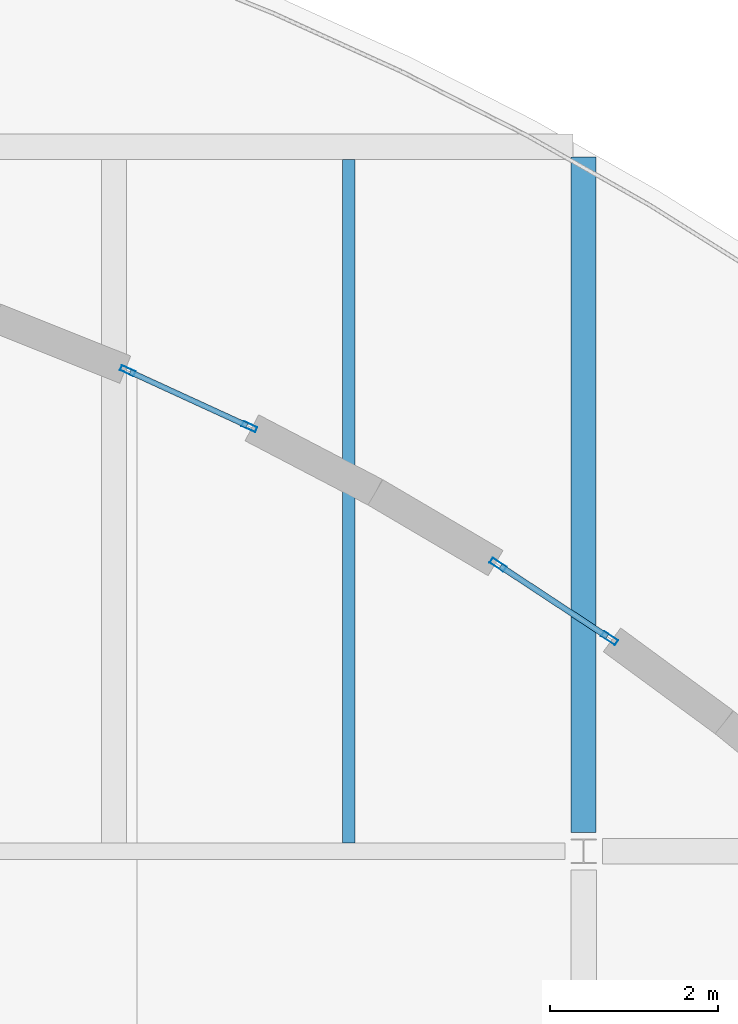
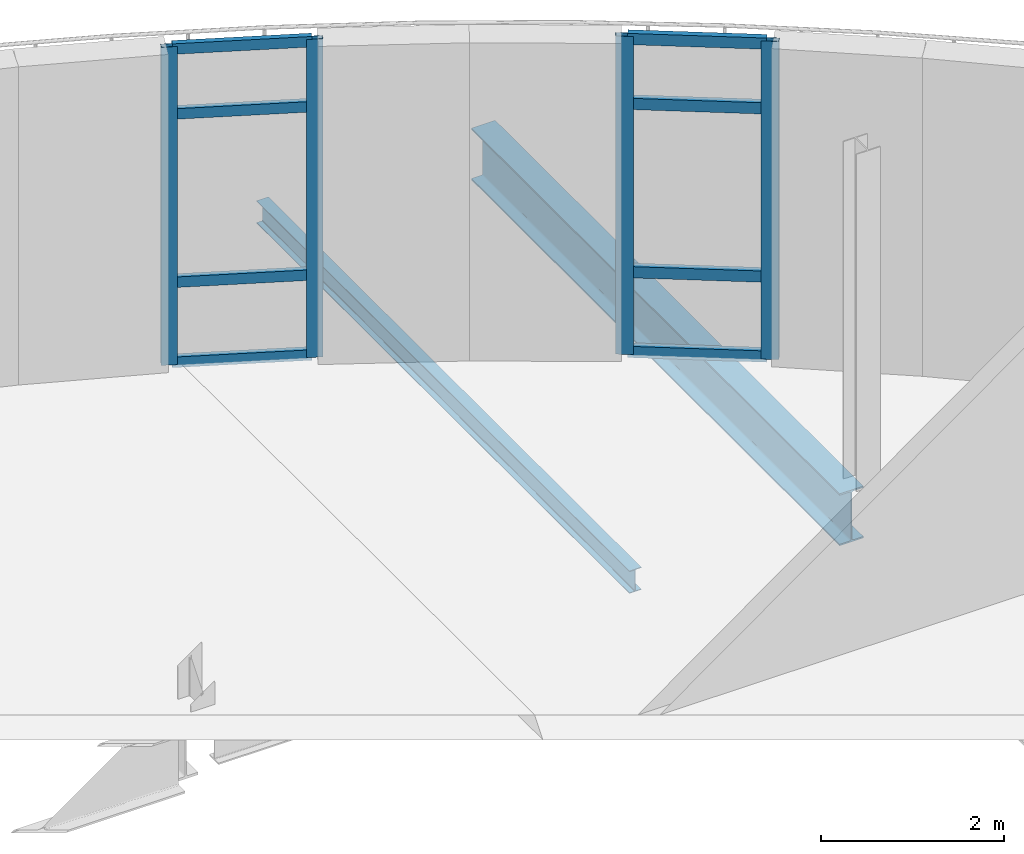
# One storey, part 9 of 40: 12 members, 2 beams, 2 elements without a shape of their own.
"""IFC4 building model written with IfcOpenShell, lengths in metres."""

import ifcopenshell
import ifcopenshell.guid

model = None  # the IFC model being written
_history = None  # IfcOwnerHistory: only IFC2X3 demands one
_inside = {}  # id of a spatial element -> (the spatial element, [elements in it])
_under = {}  # id of a project, library or spatial element -> (it, [spatial elements below it])
_declared = {}  # id of a project -> (the project, [libraries it declares])
_typed = {}  # id of a type object -> (the type object, [elements of that type])
_made_of = {}  # id of a material, layer set ... -> (it, [elements and type objects made of it])


def new_model(schema):
    """Start an empty IFC model of exactly this schema.

    Asked for "IFC4X3", IfcOpenShell would pick the latest addendum, in which some entities
    have other attributes; the version numbers below select the first issue.
    IFC2X3 requires an IfcOwnerHistory on every rooted entity: one is made here for all.
    """
    global model, _history
    if schema == "IFC4X3":
        model = ifcopenshell.file(schema_version=(4, 3, 0, 0))
    else:
        model = ifcopenshell.file(schema=schema)
    _inside.clear()
    _under.clear()
    _declared.clear()
    _typed.clear()
    _made_of.clear()
    _history = None
    if model.schema == "IFC2X3":
        org = make("IfcOrganization", Name="unknown")
        user = make(
            "IfcPersonAndOrganization",
            ThePerson=make("IfcPerson", FamilyName="unknown"),
            TheOrganization=org,
        )
        app = make(
            "IfcApplication",
            ApplicationDeveloper=org,
            Version="unknown",
            ApplicationFullName="unknown",
            ApplicationIdentifier="unknown",
        )
        _history = make(
            "IfcOwnerHistory",
            OwningUser=user,
            OwningApplication=app,
            ChangeAction="ADDED",
            CreationDate=0,
        )
    return model


def make(cls, **values):
    """One entity of the class cls with the attributes given. An attribute that is None is left unset."""
    return model.create_entity(
        cls, **{name: value for name, value in values.items() if value is not None}
    )


def rooted(cls, **values):
    """An entity with a GlobalId (a new one), such as an element, a storey or a relation."""
    return make(cls, GlobalId=ifcopenshell.guid.new(), OwnerHistory=_history, **values)


def si_unit(unit_type, name, prefix=None):
    """IfcSIUnit, for example si_unit("LENGTHUNIT", "METRE", prefix="MILLI")."""
    return make("IfcSIUnit", UnitType=unit_type, Prefix=prefix, Name=name)


def assignment(units):
    """IfcUnitAssignment: the units of a project."""
    return None if units is None else make("IfcUnitAssignment", Units=units)


def point(xyz):
    """IfcCartesianPoint."""
    return None if xyz is None else make("IfcCartesianPoint", Coordinates=xyz)


def direction(xyz):
    """IfcDirection."""
    return None if xyz is None else make("IfcDirection", DirectionRatios=xyz)


def frame(location, z_axis=None, x_axis=None):
    """IfcAxis2Placement3D, a coordinate frame: its origin and axes. An axis left out is left unset."""
    return make(
        "IfcAxis2Placement3D",
        Location=point(location),
        Axis=direction(z_axis),
        RefDirection=direction(x_axis),
    )


def frame_2d(location, x_axis=None):
    """IfcAxis2Placement2D, a coordinate frame in the plane: its origin and x axis."""
    return make(
        "IfcAxis2Placement2D", Location=point(location), RefDirection=direction(x_axis)
    )


def origin():
    """The frame at (0, 0, 0) with its axes left unset."""
    return frame((0.0, 0.0, 0.0))


def origin_2d():
    """The frame at (0, 0) in the plane with its x axis left unset."""
    return frame_2d((0.0, 0.0))


def place(relative_to, where):
    """IfcLocalPlacement: puts the frame where relative to a parent placement (None: the world)."""
    return make(
        "IfcLocalPlacement", PlacementRelTo=relative_to, RelativePlacement=where
    )


def context(
    kind, dimensions, precision=None, world=None, true_north=None, identifier=None
):
    """IfcGeometricRepresentationContext, for example the 3D "Model" context."""
    return make(
        "IfcGeometricRepresentationContext",
        ContextIdentifier=identifier,
        ContextType=kind,
        CoordinateSpaceDimension=dimensions,
        Precision=precision,
        WorldCoordinateSystem=world,
        TrueNorth=true_north,
    )


def subcontext(parent, identifier, kind, view, scale=None):
    """IfcGeometricRepresentationSubContext, for example "Body" below "Model"."""
    return make(
        "IfcGeometricRepresentationSubContext",
        ContextIdentifier=identifier,
        ContextType=kind,
        ParentContext=parent,
        TargetScale=scale,
        TargetView=view,
    )


def project(units=None, contexts=None):
    """IfcProject with its units and contexts."""
    return rooted(
        "IfcProject",
        Name="project",
        RepresentationContexts=contexts,
        UnitsInContext=assignment(units),
    )


def spatial(cls, under=None, at=None, **own):
    """A site, building, storey or space (cls), placed at a placement, below another one or the project."""
    s = rooted(cls, ObjectPlacement=at, **own)
    if under is not None:
        _under.setdefault(under.id(), (under, []))[1].append(s)
    return s


def profile(cls, at=None, kind="AREA", **sizes):
    """A parametric profile (cls). Its sizes go by their IFC names, for example OverallWidth=200.0."""
    return make(cls, ProfileType=kind, Position=at, **sizes)


def hollow_rectangle(**sizes):
    """IfcRectangleHollowProfileDef."""
    return profile("IfcRectangleHollowProfileDef", **sizes)


def i_section(**sizes):
    """IfcIShapeProfileDef."""
    return profile("IfcIShapeProfileDef", **sizes)


def extrude(swept, where, along, depth):
    """IfcExtrudedAreaSolid: the profile swept, set in the frame where, extruded along a direction by depth."""
    return make(
        "IfcExtrudedAreaSolid",
        SweptArea=swept,
        Position=where,
        ExtrudedDirection=direction(along),
        Depth=depth,
    )


def shape(context_of_items, identifier, shape_type, items):
    """IfcShapeRepresentation: the items that make up one representation, for example the "Body"."""
    return make(
        "IfcShapeRepresentation",
        ContextOfItems=context_of_items,
        RepresentationIdentifier=identifier,
        RepresentationType=shape_type,
        Items=items,
    )


def material(Name=None, Category=None):
    """IfcMaterial."""
    return make("IfcMaterial", Name=Name, Category=Category)


def layer(
    of_material, thickness, ventilated=None, Name=None, Category=None, Priority=None
):
    """IfcMaterialLayer: one layer of a wall or slab, of a material (None: an air gap)."""
    return make(
        "IfcMaterialLayer",
        Material=of_material,
        LayerThickness=thickness,
        IsVentilated=ventilated,
        Name=Name,
        Category=Category,
        Priority=Priority,
    )


def layer_set(layers, Name=None):
    """IfcMaterialLayerSet."""
    return make("IfcMaterialLayerSet", MaterialLayers=layers, LayerSetName=Name)


def material_profile(
    of_material, cross_section, Name=None, Category=None, Priority=None
):
    """IfcMaterialProfile: a cross section and its material."""
    return make(
        "IfcMaterialProfile",
        Name=Name,
        Material=of_material,
        Profile=cross_section,
        Priority=Priority,
        Category=Category,
    )


def profile_set(profiles, Name=None, composite=None):
    """IfcMaterialProfileSet."""
    return make(
        "IfcMaterialProfileSet",
        Name=Name,
        MaterialProfiles=profiles,
        CompositeProfile=composite,
    )


def made_of(thing, what):
    """Note that an element or type object is made of a material, layer set ...; save() writes the relation."""
    if what is not None:
        _made_of.setdefault(what.id(), (what, []))[1].append(thing)
    return thing


def type_object(cls, material=None, **own):
    """A type object (cls), such as IfcWallType, which elements share."""
    return made_of(rooted(cls, **own), material)


def element(
    cls,
    number,
    at=None,
    inside=None,
    cuts=None,
    type_object=None,
    material=None,
    context=None,
    identifier="Body",
    shape_type=None,
    held_by="IfcProductDefinitionShape",
    body=None,
    shapes=None,
    **own,
):
    """One element of the class cls, such as IfcWall. Its Tag is "e" and its number.

    at: its placement. inside: the storey or other place that contains it. cuts: it is an
    opening in that element (IfcRelVoidsElement). A single representation is given by context,
    identifier, shape_type and body (its items); several are given by shapes. held_by: the class
    of the entity that holds the representations. save() writes the other relations.
    """
    e = rooted(cls, Tag="e%d" % number, ObjectPlacement=at, **own)
    if body is not None:
        shapes = [shape(context, identifier, shape_type, body)]
    if shapes is not None:
        e.Representation = make(held_by, Representations=shapes)
    if inside is not None:
        _inside.setdefault(inside.id(), (inside, []))[1].append(e)
    if cuts is not None:
        rooted(
            "IfcRelVoidsElement", RelatingBuildingElement=cuts, RelatedOpeningElement=e
        )
    if type_object is not None:
        _typed.setdefault(type_object.id(), (type_object, []))[1].append(e)
    return made_of(e, material)


def aggregate(whole, parts):
    """IfcRelAggregates: a whole, such as a stair, and the parts it consists of."""
    return rooted("IfcRelAggregates", RelatingObject=whole, RelatedObjects=parts)


def save(model, path):
    """Write the relations noted so far, then the file.

    IfcRelAggregates (storeys below a building ...), IfcRelContainedInSpatialStructure (elements
    in a storey), IfcRelDefinesByType, IfcRelAssociatesMaterial and IfcRelDeclares: one each for
    every whole, place, type object, material and project.
    """
    for whole, parts in _under.values():
        aggregate(whole, parts)
    for where, things in _inside.values():
        rooted(
            "IfcRelContainedInSpatialStructure",
            RelatedElements=things,
            RelatingStructure=where,
        )
    for kind, things in _typed.values():
        rooted("IfcRelDefinesByType", RelatedObjects=things, RelatingType=kind)
    for what, things in _made_of.values():
        rooted("IfcRelAssociatesMaterial", RelatedObjects=things, RelatingMaterial=what)
    for by, libraries in _declared.values():
        rooted("IfcRelDeclares", RelatingContext=by, RelatedDefinitions=libraries)
    model.write(path)


model = new_model("IFC4")

# Units and contexts
model_context = context("Model", 3, precision=1e-05, world=origin(), true_north=direction((0.0, 1.0)))
body_context = subcontext(model_context, "Body", "Model", "MODEL_VIEW")
ifc_project = project(units=[si_unit("LENGTHUNIT", "METRE"), si_unit("AREAUNIT", "SQUARE_METRE"), si_unit("VOLUMEUNIT", "CUBIC_METRE"), si_unit("PLANEANGLEUNIT", "RADIAN"), si_unit("MASSUNIT", "GRAM", prefix="KILO"), si_unit("THERMODYNAMICTEMPERATUREUNIT", "KELVIN")], contexts=[model_context])

# Site, building, storey
site_placement = place(None, origin())
site = spatial("IfcSite", under=ifc_project, at=site_placement, CompositionType="ELEMENT")
building_placement = place(site_placement, origin())
building = spatial("IfcBuilding", under=site, at=building_placement, Name="Lustrewick Department Store", CompositionType="ELEMENT")
storey_placement = place(building_placement, frame((0.0, 0.0, 31.800048828125)))
storey = spatial("IfcBuildingStorey", under=building, at=storey_placement, Name="L07", CompositionType="ELEMENT", Elevation=31.800048828125)

# Beam
ifc_material_1 = material(Name="Structural steel Q355B", Category="steel")
ifc_material_profile_1 = material_profile(ifc_material_1, i_section(OverallWidth=0.14990234375, OverallDepth=0.300048828125, WebThickness=0.006591796875, FlangeThickness=0.009033203125, FilletRadius=0.011962890625, at=origin_2d()), Name="HN 300x150x6.5x9")
ifc_profile_set_1 = profile_set([ifc_material_profile_1], Name="Structural steel Q355B")
beam_type_1 = type_object("IfcBeamType", Name="B11", PredefinedType="JOIST", material=ifc_profile_set_1)
beam_1_placement = place(storey_placement, frame((131.60009765625, 84.1005859375, -0.405029296875), z_axis=(0.0, 1.0, 0.0), x_axis=(-1.0, 0.0, 0.0)))
element("IfcBeam", 1, at=beam_1_placement, inside=storey, type_object=beam_type_1, Name="L07 V4 Secondary Joist B11", PredefinedType="JOIST", context=body_context, shape_type="SweptSolid", body=[
    extrude(i_section(OverallWidth=0.14990234375, OverallDepth=0.300048828125, WebThickness=0.006591796875, FlangeThickness=0.009033203125, FilletRadius=0.011962890625, at=origin_2d()), origin(), (0.0, 0.0, 1.0), 8.1484375),
])

# Curtain wall, members
ifc_material_2 = material(Name="Thermally broken aluminium 6063-T5", Category="aluminium")
ifc_layer_1 = layer(ifc_material_2, 0.199951171875, Name="Thermally broken aluminium 6063-T5")
ifc_layer_set_1 = layer_set([ifc_layer_1], Name="Thermally broken aluminium 6063-T5")
curtain_wall_type_1 = type_object("IfcCurtainWallType", Name="CW01", PredefinedType="NOTDEFINED", material=ifc_layer_set_1)
curtain_wall_1_placement = place(storey_placement, origin())
curtain_wall_1 = element("IfcCurtainWall", 2, at=curtain_wall_1_placement, inside=storey, type_object=curtain_wall_type_1, Name="L07 V4 Curtain Wall CW01", PredefinedType="NOTDEFINED")
ifc_material_profile_2 = material_profile(ifc_material_2, hollow_rectangle(XDim=0.070068359375, YDim=0.199951171875, WallThickness=0.00390625, at=origin_2d()), Name="ALU-M 70x200x4")
ifc_profile_set_2 = profile_set([ifc_material_profile_2], Name="Thermally broken aluminium 6063-T5")
member_type_1 = type_object("IfcMemberType", Name="CW01-M1", PredefinedType="MULLION", material=ifc_profile_set_2)
member_1_placement = place(storey_placement, frame((134.70849609375, 86.540283203125, 0.0), z_axis=(0.0, 0.0, 1.0), x_axis=(-0.550290479806, -0.834973285701, 0.0)))
member_1 = element("IfcMember", 3, at=member_1_placement, type_object=member_type_1, Name="CW01 mullion 1", PredefinedType="MULLION", context=body_context, shape_type="SweptSolid", body=[
    extrude(hollow_rectangle(XDim=0.070068359375, YDim=0.199951171875, WallThickness=0.00390625, at=origin_2d()), origin(), (0.0, 0.0, 1.0), 4.244873046875),
])
member_2_placement = place(storey_placement, frame((133.379150390625, 87.416259765625, 0.0), z_axis=(0.0, 0.0, 1.0), x_axis=(-0.550290479806, -0.834973285701, 0.0)))
member_2 = element("IfcMember", 4, at=member_2_placement, type_object=member_type_1, Name="CW01 mullion 2", PredefinedType="MULLION", context=body_context, shape_type="SweptSolid", body=[
    extrude(hollow_rectangle(XDim=0.070068359375, YDim=0.199951171875, WallThickness=0.00390625, at=origin_2d()), origin(), (0.0, 0.0, 1.0), 4.244873046875),
])
ifc_material_profile_3 = material_profile(ifc_material_2, hollow_rectangle(XDim=0.070068359375, YDim=0.14990234375, WallThickness=0.00390625, at=origin_2d()), Name="ALU-T 70x150x4")
ifc_profile_set_3 = profile_set([ifc_material_profile_3], Name="Thermally broken aluminium 6063-T5")
member_type_2 = type_object("IfcMemberType", Name="CW01-T1", PredefinedType="USERDEFINED", material=ifc_profile_set_3)
member_3_placement = place(storey_placement, frame((134.67919921875, 86.5595703125, 0.034912109375), z_axis=(-0.835000084247, 0.550249815364, 0.0), x_axis=(-0.550249815364, -0.835000084247, 0.0)))
member_3 = element("IfcMember", 5, at=member_3_placement, type_object=member_type_2, Name="CW01 transom 1.1", ObjectType="TRANSOM", PredefinedType="USERDEFINED", context=body_context, shape_type="SweptSolid", body=[
    extrude(hollow_rectangle(XDim=0.070068359375, YDim=0.14990234375, WallThickness=0.00390625, at=origin_2d()), origin(), (0.0, 0.0, 1.0), 1.52197265625),
])
member_4_placement = place(storey_placement, frame((134.67919921875, 86.5595703125, 1.099853515625), z_axis=(-0.835000084247, 0.550249815364, 0.0), x_axis=(-0.550249815364, -0.835000084247, 0.0)))
member_4 = element("IfcMember", 6, at=member_4_placement, type_object=member_type_2, Name="CW01 transom 1.2", ObjectType="TRANSOM", PredefinedType="USERDEFINED", context=body_context, shape_type="SweptSolid", body=[
    extrude(hollow_rectangle(XDim=0.070068359375, YDim=0.14990234375, WallThickness=0.00390625, at=origin_2d()), origin(), (0.0, 0.0, 1.0), 1.52197265625),
])
member_5_placement = place(storey_placement, frame((134.67919921875, 86.5595703125, 3.344970703125), z_axis=(-0.835000084247, 0.550249815364, 0.0), x_axis=(-0.550249815364, -0.835000084247, 0.0)))
member_5 = element("IfcMember", 7, at=member_5_placement, type_object=member_type_2, Name="CW01 transom 1.3", ObjectType="TRANSOM", PredefinedType="USERDEFINED", context=body_context, shape_type="SweptSolid", body=[
    extrude(hollow_rectangle(XDim=0.070068359375, YDim=0.14990234375, WallThickness=0.00390625, at=origin_2d()), origin(), (0.0, 0.0, 1.0), 1.52197265625),
])
member_6_placement = place(storey_placement, frame((134.67919921875, 86.5595703125, 4.2099609375), z_axis=(-0.835000084247, 0.550249815364, 0.0), x_axis=(-0.550249815364, -0.835000084247, 0.0)))
member_6 = element("IfcMember", 8, at=member_6_placement, type_object=member_type_2, Name="CW01 transom 1.4", ObjectType="TRANSOM", PredefinedType="USERDEFINED", context=body_context, shape_type="SweptSolid", body=[
    extrude(hollow_rectangle(XDim=0.070068359375, YDim=0.14990234375, WallThickness=0.00390625, at=origin_2d()), origin(), (0.0, 0.0, 1.0), 1.52197265625),
])
aggregate(curtain_wall_1, [member_1, member_2, member_3, member_4, member_5, member_6])

ifc_layer_2 = layer(ifc_material_2, 0.179931640625, Name="Thermally broken aluminium 6063-T5")
ifc_layer_set_2 = layer_set([ifc_layer_2], Name="Thermally broken aluminium 6063-T5")
curtain_wall_type_2 = type_object("IfcCurtainWallType", Name="CW02", PredefinedType="NOTDEFINED", material=ifc_layer_set_2)
curtain_wall_2_placement = place(storey_placement, origin())
curtain_wall_2 = element("IfcCurtainWall", 9, at=curtain_wall_2_placement, inside=storey, type_object=curtain_wall_type_2, Name="L07 V4 Curtain Wall CW02", PredefinedType="NOTDEFINED")
ifc_material_profile_4 = material_profile(ifc_material_2, hollow_rectangle(XDim=0.06494140625, YDim=0.179931640625, WallThickness=0.00390625, at=origin_2d()), Name="ALU-M 65x180x4")
ifc_profile_set_4 = profile_set([ifc_material_profile_4], Name="Thermally broken aluminium 6063-T5")
member_type_3 = type_object("IfcMemberType", Name="CW02-M1", PredefinedType="MULLION", material=ifc_profile_set_4)
member_7_placement = place(storey_placement, frame((130.415283203125, 89.0615234375, 0.0), z_axis=(0.0, 0.0, 1.0), x_axis=(-0.41750822901, -0.908673141844, 0.0)))
member_7 = element("IfcMember", 10, at=member_7_placement, type_object=member_type_3, Name="CW02 mullion 1", PredefinedType="MULLION", context=body_context, shape_type="SweptSolid", body=[
    extrude(hollow_rectangle(XDim=0.06494140625, YDim=0.179931640625, WallThickness=0.00390625, at=origin_2d()), origin(), (0.0, 0.0, 1.0), 4.244873046875),
])
member_8_placement = place(storey_placement, frame((128.96435546875, 89.728271484375, 0.0), z_axis=(0.0, 0.0, 1.0), x_axis=(-0.41750822901, -0.908673141844, 0.0)))
member_8 = element("IfcMember", 11, at=member_8_placement, type_object=member_type_3, Name="CW02 mullion 2", PredefinedType="MULLION", context=body_context, shape_type="SweptSolid", body=[
    extrude(hollow_rectangle(XDim=0.06494140625, YDim=0.179931640625, WallThickness=0.00390625, at=origin_2d()), origin(), (0.0, 0.0, 1.0), 4.244873046875),
])
ifc_material_profile_5 = material_profile(ifc_material_2, hollow_rectangle(XDim=0.06494140625, YDim=0.139892578125, WallThickness=0.00341796875, at=origin_2d()), Name="ALU-T 65x140x3.5")
ifc_profile_set_5 = profile_set([ifc_material_profile_5], Name="Thermally broken aluminium 6063-T5")
member_type_4 = type_object("IfcMemberType", Name="CW02-T1", PredefinedType="USERDEFINED", material=ifc_profile_set_5)
member_9_placement = place(storey_placement, frame((130.3857421875, 89.0751953125, 0.032470703125), z_axis=(-0.908699722903, 0.417450372616, 0.0), x_axis=(-0.417450372616, -0.908699722903, 0.0)))
member_9 = element("IfcMember", 12, at=member_9_placement, type_object=member_type_4, Name="CW02 transom 1.1", ObjectType="TRANSOM", PredefinedType="USERDEFINED", context=body_context, shape_type="SweptSolid", body=[
    extrude(hollow_rectangle(XDim=0.06494140625, YDim=0.139892578125, WallThickness=0.00341796875, at=origin_2d()), origin(), (0.0, 0.0, 1.0), 1.53173828125),
])
member_10_placement = place(storey_placement, frame((130.3857421875, 89.0751953125, 1.099853515625), z_axis=(-0.908699722903, 0.417450372616, 0.0), x_axis=(-0.417450372616, -0.908699722903, 0.0)))
member_10 = element("IfcMember", 13, at=member_10_placement, type_object=member_type_4, Name="CW02 transom 1.2", ObjectType="TRANSOM", PredefinedType="USERDEFINED", context=body_context, shape_type="SweptSolid", body=[
    extrude(hollow_rectangle(XDim=0.06494140625, YDim=0.139892578125, WallThickness=0.00341796875, at=origin_2d()), origin(), (0.0, 0.0, 1.0), 1.53173828125),
])
member_11_placement = place(storey_placement, frame((130.3857421875, 89.0751953125, 3.344970703125), z_axis=(-0.908699722903, 0.417450372616, 0.0), x_axis=(-0.417450372616, -0.908699722903, 0.0)))
member_11 = element("IfcMember", 14, at=member_11_placement, type_object=member_type_4, Name="CW02 transom 1.3", ObjectType="TRANSOM", PredefinedType="USERDEFINED", context=body_context, shape_type="SweptSolid", body=[
    extrude(hollow_rectangle(XDim=0.06494140625, YDim=0.139892578125, WallThickness=0.00341796875, at=origin_2d()), origin(), (0.0, 0.0, 1.0), 1.53173828125),
])
member_12_placement = place(storey_placement, frame((130.3857421875, 89.0751953125, 4.21240234375), z_axis=(-0.908699722903, 0.417450372616, 0.0), x_axis=(-0.417450372616, -0.908699722903, 0.0)))
member_12 = element("IfcMember", 15, at=member_12_placement, type_object=member_type_4, Name="CW02 transom 1.4", ObjectType="TRANSOM", PredefinedType="USERDEFINED", context=body_context, shape_type="SweptSolid", body=[
    extrude(hollow_rectangle(XDim=0.06494140625, YDim=0.139892578125, WallThickness=0.00341796875, at=origin_2d()), origin(), (0.0, 0.0, 1.0), 1.53173828125),
])
aggregate(curtain_wall_2, [member_7, member_8, member_9, member_10, member_11, member_12])

# Beam
ifc_material_profile_6 = material_profile(ifc_material_1, i_section(OverallWidth=0.300048828125, OverallDepth=0.69189453125, WebThickness=0.012939453125, FlangeThickness=0.02001953125, FilletRadius=0.02001953125, at=origin_2d()), Name="HN 692x300x13x20")
ifc_profile_set_6 = profile_set([ifc_material_profile_6], Name="Structural steel Q355B")
beam_type_2 = type_object("IfcBeamType", Name="G09", PredefinedType="BEAM", material=ifc_profile_set_6)
beam_2_placement = place(storey_placement, frame((134.39990234375, 84.22509765625, -0.60107421875), z_axis=(0.0, 1.0, 0.0), x_axis=(-1.0, 0.0, 0.0)))
element("IfcBeam", 16, at=beam_2_placement, inside=storey, type_object=beam_type_2, Name="L07 V4 Girder G09", PredefinedType="BEAM", context=body_context, shape_type="SweptSolid", body=[
    extrude(i_section(OverallWidth=0.300048828125, OverallDepth=0.69189453125, WebThickness=0.012939453125, FlangeThickness=0.02001953125, FilletRadius=0.02001953125, at=origin_2d()), origin(), (0.0, 0.0, 1.0), 8.0498046875),
])

save(model, "model.ifc")
